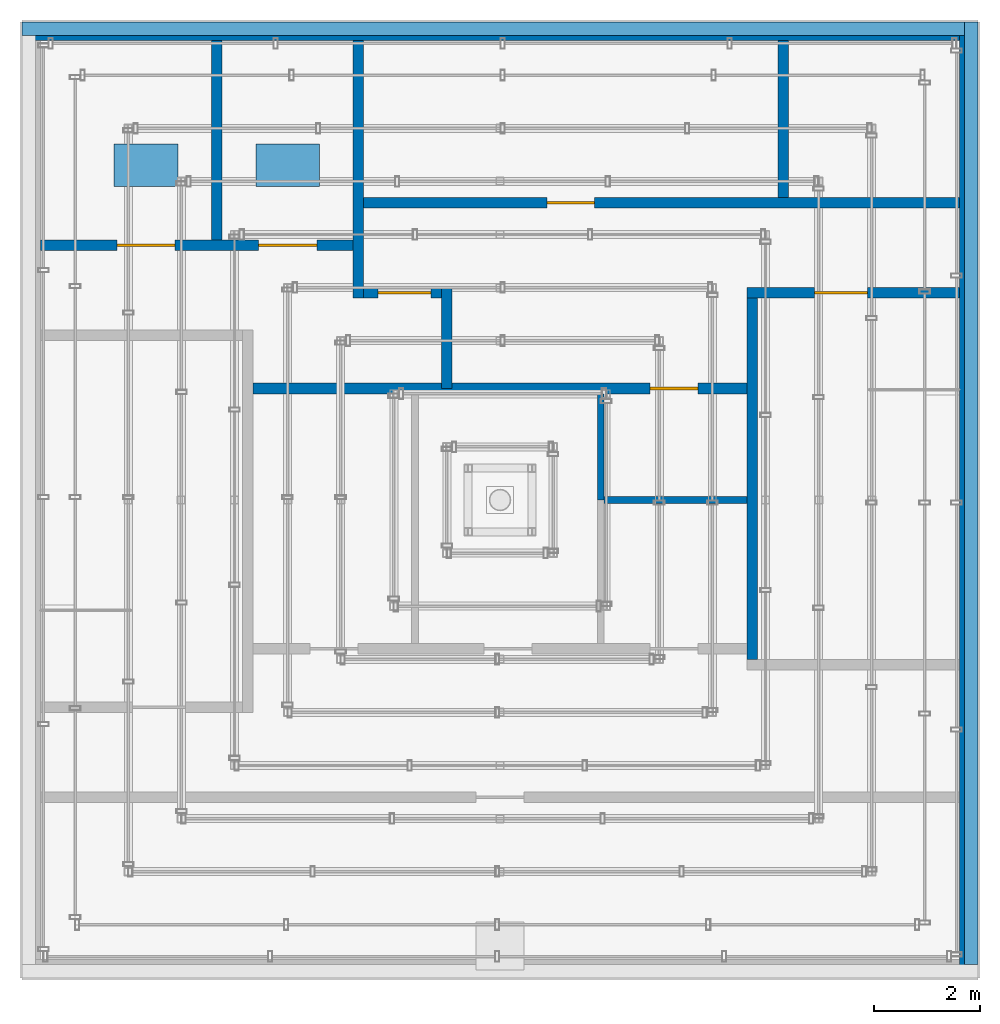
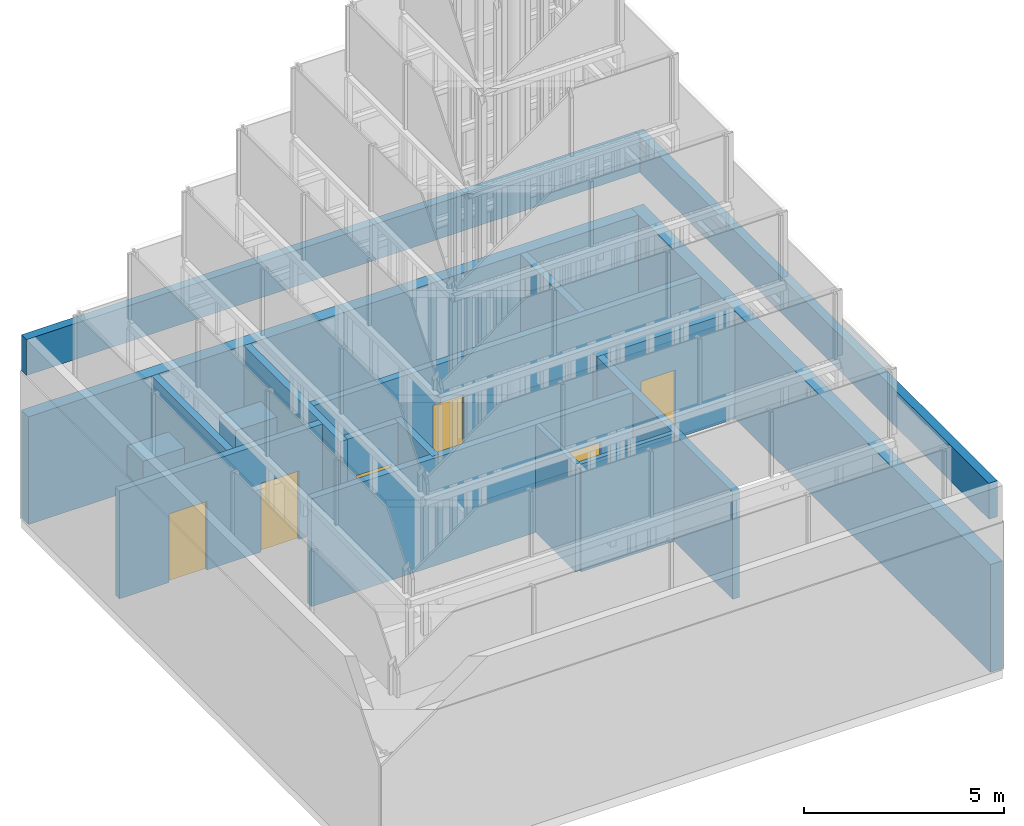
# One storey, part 19 of 24: 16 walls, 6 doors, 2 discrete accessories, 6 openings.
"""IFC4 building model written with IfcOpenShell, lengths in metres."""

from ifc_helpers import new_model, si_unit, direction, frame, frame_2d, origin, origin_2d, place, context, subcontext, project, spatial, rectangle, extrude, material, layer, layer_set, type_object, element, fill, save


model = new_model("IFC4")

# Units and contexts
model_context = context("Model", 3, precision=1e-05, world=origin(), true_north=direction((0.0, 1.0)))
body_context = subcontext(model_context, "Body", "Model", "MODEL_VIEW")
ifc_project = project(units=[si_unit("LENGTHUNIT", "METRE"), si_unit("AREAUNIT", "SQUARE_METRE"), si_unit("VOLUMEUNIT", "CUBIC_METRE"), si_unit("PLANEANGLEUNIT", "RADIAN"), si_unit("MASSUNIT", "GRAM", prefix="KILO")], contexts=[model_context])

# Site, building, storey
site_placement = place(None, origin())
site = spatial("IfcSite", under=ifc_project, at=site_placement, CompositionType="ELEMENT")
building_placement = place(site_placement, origin())
building = spatial("IfcBuilding", under=site, at=building_placement, Name="Altepetl Exchange Towers", CompositionType="ELEMENT")
storey_placement = place(building_placement, frame((0.0, 0.0, 279.10009765625)))
storey = spatial("IfcBuildingStorey", under=building, at=storey_placement, Name="L70 Crown plant", CompositionType="ELEMENT", Elevation=279.10009765625)

# Walls
ifc_material_1 = material(Name="Concrete C70/85", Category="concrete")
ifc_layer_1 = layer(ifc_material_1, 0.35009765625)
ifc_layer_set_1 = layer_set([ifc_layer_1], Name="Concrete C70/85")
wall_type_1 = type_object("IfcWallType", Name="Core wall 350 reinforced concrete external", PredefinedType="SHEAR", material=ifc_layer_set_1)
wall_1_placement = place(storey_placement, frame((58.324951171875, 40.5, 0.0), z_axis=(0.0, 0.0, 1.0), x_axis=(0.0, 1.0, 0.0)))
element("IfcWall", 1, at=wall_1_placement, inside=storey, type_object=wall_type_1, Name="wall:A:L70:K-coreE", PredefinedType="SHEAR", context=body_context, shape_type="SweptSolid", body=[
    extrude(rectangle(XDim=18.0, YDim=0.35009765625, at=frame_2d((9.0, 0.0))), origin(), (0.0, 0.0, 1.0), 3.2998046875),
])
wall_2_placement = place(storey_placement, frame((40.5, 58.324951171875, 0.0)))
element("IfcWall", 2, at=wall_2_placement, inside=storey, type_object=wall_type_1, Name="wall:A:L70:K-coreN", PredefinedType="SHEAR", context=body_context, shape_type="SweptSolid", body=[
    extrude(rectangle(XDim=17.64990234375, YDim=0.35009765625, at=frame_2d((8.824951171875, 0.0))), origin(), (0.0, 0.0, 1.0), 3.2998046875),
])
ifc_material_2 = material(Name="Concrete blockwork", Category="masonry")
ifc_layer_2 = layer(ifc_material_2, 0.199951171875)
ifc_layer_set_2 = layer_set([ifc_layer_2], Name="Concrete blockwork")
wall_type_2 = type_object("IfcWallType", Name="Lobby wall 200 blockwork", PredefinedType="PARTITIONING", material=ifc_layer_set_2)
wall_3_placement = place(storey_placement, frame((48.5, 51.60009765625, 0.0), z_axis=(0.0, 0.0, 1.0), x_axis=(0.0, 1.0, 0.0)))
element("IfcWall", 3, at=wall_3_placement, inside=storey, type_object=wall_type_2, Name="wall:A:L70:K-ffE", PredefinedType="PARTITIONING", context=body_context, shape_type="SweptSolid", body=[
    extrude(rectangle(XDim=1.89990234375, YDim=0.199951171875, at=frame_2d((0.949951171875, 0.0))), origin(), (0.0, 0.0, 1.0), 3.2998046875),
])

# Wall, opening, door
wall_4_placement = place(storey_placement, frame((46.933349609375, 53.39990234375, 0.0)))
wall_4 = element("IfcWall", 4, at=wall_4_placement, inside=storey, type_object=wall_type_2, Name="wall:A:L70:K-ffN", PredefinedType="PARTITIONING", context=body_context, shape_type="SweptSolid", body=[
    extrude(rectangle(XDim=1.466552734375, YDim=0.199951171875, at=frame_2d((0.7333984375, 0.0))), origin(), (0.0, 0.0, 1.0), 3.2998046875),
])
opening_1_placement = place(wall_4_placement, frame((0.2666015625, 0.0, 0.0)))
opening_1 = element("IfcOpeningElement", 5, at=opening_1_placement, cuts=wall_4, Name="Opening L70.A62", PredefinedType="OPENING", context=body_context, shape_type="SweptSolid", body=[
    extrude(rectangle(XDim=1.0, YDim=2.10009765625, at=frame_2d((0.5, 1.050048828125))), frame((0.0, 0.10986328125, 0.0), z_axis=(0.0, -1.0, 0.0), x_axis=(1.0, 0.0, 0.0)), (0.0, 0.0, 1.0), 0.219970703125),
])
ifc_material_3 = material(Name="Steel and timber fire door", Category="steel")
door_type_1 = type_object("IfcDoorType", Name="Fire door 1000 x 2100 stair and lobby", OperationType="SINGLE_SWING_LEFT", PredefinedType="DOOR", material=ifc_material_3)
door_1_placement = place(opening_1_placement, frame((1.0, 0.0, 0.0), x_axis=(-1.0, 0.0, 0.0)))
door_1 = element("IfcDoor", 6, at=door_1_placement, inside=storey, type_object=door_type_1, Name="door:A:L70:K-dffN", OperationType="SINGLE_SWING_RIGHT", OverallHeight=2.10009765625, OverallWidth=1.0, PredefinedType="DOOR", context=body_context, shape_type="SweptSolid", body=[
    extrude(rectangle(XDim=1.0, YDim=2.10009765625, at=frame_2d((0.5, 1.050048828125))), frame((0.0, 0.02490234375, 0.0), z_axis=(0.0, -1.0, 0.0), x_axis=(1.0, 0.0, 0.0)), (0.0, 0.0, 1.0), 0.050048828125),
])
fill(opening_1, door_1)

wall_5_placement = place(storey_placement, frame((44.85009765625, 51.60009765625, 0.0)))
wall_5 = element("IfcWall", 7, at=wall_5_placement, inside=storey, type_object=wall_type_2, Name="wall:A:L70:K-zoneN", PredefinedType="PARTITIONING", context=body_context, shape_type="SweptSolid", body=[
    extrude(rectangle(XDim=9.2998046875, YDim=0.199951171875, at=frame_2d((4.64990234375, 0.0))), origin(), (0.0, 0.0, 1.0), 3.2998046875),
])
opening_2_placement = place(wall_5_placement, frame((7.47509765625, 0.0, 0.0)))
opening_2 = element("IfcOpeningElement", 8, at=opening_2_placement, cuts=wall_5, Name="Opening L70.A68", PredefinedType="OPENING", context=body_context, shape_type="SweptSolid", body=[
    extrude(rectangle(XDim=0.89990234375, YDim=2.10009765625, at=frame_2d((0.449951171875, 1.050048828125))), frame((0.0, 0.10986328125, 0.0), z_axis=(0.0, -1.0, 0.0), x_axis=(1.0, 0.0, 0.0)), (0.0, 0.0, 1.0), 0.219970703125),
])
door_type_2 = type_object("IfcDoorType", Name="Fire door 900 x 2100 service room", OperationType="SINGLE_SWING_LEFT", PredefinedType="DOOR", material=ifc_material_3)
door_2_placement = place(opening_2_placement, frame((0.89990234375, 0.0, 0.0), x_axis=(-1.0, 0.0, 0.0)))
door_2 = element("IfcDoor", 9, at=door_2_placement, inside=storey, type_object=door_type_2, Name="door:A:L70:K-dz4", OperationType="SINGLE_SWING_LEFT", OverallHeight=2.10009765625, OverallWidth=0.89990234375, PredefinedType="DOOR", context=body_context, shape_type="SweptSolid", body=[
    extrude(rectangle(XDim=0.89990234375, YDim=2.10009765625, at=frame_2d((0.449951171875, 1.050048828125))), frame((0.0, 0.02490234375, 0.0), z_axis=(0.0, -1.0, 0.0), x_axis=(1.0, 0.0, 0.0)), (0.0, 0.0, 1.0), 0.050048828125),
])
fill(opening_2, door_2)

# Walls
ifc_material_4 = material(Name="Gypsum board on steel studs", Category="steel")
ifc_layer_3 = layer(ifc_material_4, 0.125)
ifc_layer_set_3 = layer_set([ifc_layer_3], Name="Gypsum board on steel studs")
wall_type_3 = type_object("IfcWallType", Name="Partition 125 gypsum board on steel studs", PredefinedType="PARTITIONING", material=ifc_layer_set_3)
wall_6_placement = place(storey_placement, frame((54.14990234375, 49.5, 0.0), z_axis=(0.0, 0.0, 1.0), x_axis=(-1.0, 0.0, 0.0)))
element("IfcWall", 10, at=wall_6_placement, inside=storey, type_object=wall_type_3, Name="wall:A:L70:K-zp3", PredefinedType="PARTITIONING", context=body_context, shape_type="SweptSolid", body=[
    extrude(rectangle(XDim=2.6875, YDim=0.125, at=frame_2d((1.34375, 0.0))), origin(), (0.0, 0.0, 1.0), 3.2998046875),
])
wall_7_placement = place(storey_placement, frame((51.39990234375, 49.5, 0.0), z_axis=(0.0, 0.0, 1.0), x_axis=(0.0, 1.0, 0.0)))
element("IfcWall", 11, at=wall_7_placement, inside=storey, type_object=wall_type_3, Name="wall:A:L70:K-zp4", PredefinedType="PARTITIONING", context=body_context, shape_type="SweptSolid", body=[
    extrude(rectangle(XDim=2.0, YDim=0.125, at=frame_2d((1.0, 0.0))), origin(), (0.0, 0.0, 1.0), 3.2998046875),
])
ifc_material_5 = material(Name="Concrete C40/50", Category="concrete")
ifc_layer_4 = layer(ifc_material_5, 0.199951171875)
ifc_layer_set_4 = layer_set([ifc_layer_4], Name="Concrete C40/50")
wall_type_4 = type_object("IfcWallType", Name="Shaft wall 200 reinforced concrete", PredefinedType="SHEAR", material=ifc_layer_set_4)
wall_8_placement = place(storey_placement, frame((44.166748046875, 58.14990234375, 0.0), z_axis=(0.0, 0.0, 1.0), x_axis=(0.0, -1.0, 0.0)))
element("IfcWall", 12, at=wall_8_placement, inside=storey, type_object=wall_type_4, Name="wall:A:L70:K-divN1", PredefinedType="SHEAR", context=body_context, shape_type="SweptSolid", body=[
    extrude(rectangle(XDim=3.75, YDim=0.199951171875, at=frame_2d((1.875, 0.0))), origin(), (0.0, 0.0, 1.0), 3.2998046875),
])
wall_9_placement = place(storey_placement, frame((46.833251953125, 58.14990234375, 0.0), z_axis=(0.0, 0.0, 1.0), x_axis=(0.0, -1.0, 0.0)))
element("IfcWall", 13, at=wall_9_placement, inside=storey, type_object=wall_type_4, Name="wall:A:L70:K-divN2", PredefinedType="SHEAR", context=body_context, shape_type="SweptSolid", body=[
    extrude(rectangle(XDim=4.849853515625, YDim=0.199951171875, at=frame_2d((2.4248046875, 0.0))), origin(), (0.0, 0.0, 1.0), 3.2998046875),
])
wall_10_placement = place(storey_placement, frame((54.833251953125, 58.14990234375, 0.0), z_axis=(0.0, 0.0, 1.0), x_axis=(0.0, -1.0, 0.0)))
element("IfcWall", 14, at=wall_10_placement, inside=storey, type_object=wall_type_4, Name="wall:A:L70:K-divN5", PredefinedType="SHEAR", context=body_context, shape_type="SweptSolid", body=[
    extrude(rectangle(XDim=2.949951171875, YDim=0.199951171875, at=frame_2d((1.47509765625, 0.0))), origin(), (0.0, 0.0, 1.0), 3.2998046875),
])

# Wall, opening, door
wall_11_placement = place(storey_placement, frame((46.933349609375, 55.10009765625, 0.0)))
wall_11 = element("IfcWall", 15, at=wall_11_placement, inside=storey, type_object=wall_type_4, Name="wall:A:L70:K-frontNb", PredefinedType="SHEAR", context=body_context, shape_type="SweptSolid", body=[
    extrude(rectangle(XDim=11.216552734375, YDim=0.199951171875, at=frame_2d((5.6083984375, 0.0))), origin(), (0.0, 0.0, 1.0), 3.2998046875),
])
opening_3_placement = place(wall_11_placement, frame((3.449951171875, 0.0, 0.0)))
opening_3 = element("IfcOpeningElement", 16, at=opening_3_placement, cuts=wall_11, Name="Opening L70.A63", PredefinedType="OPENING", context=body_context, shape_type="SweptSolid", body=[
    extrude(rectangle(XDim=0.89990234375, YDim=2.10009765625, at=frame_2d((0.449951171875, 1.050048828125))), frame((0.0, 0.10986328125, 0.0), z_axis=(0.0, -1.0, 0.0), x_axis=(1.0, 0.0, 0.0)), (0.0, 0.0, 1.0), 0.219970703125),
])
door_3_placement = place(opening_3_placement, origin())
door_3 = element("IfcDoor", 17, at=door_3_placement, inside=storey, type_object=door_type_2, Name="door:A:L70:K-dslotN2", OperationType="SINGLE_SWING_RIGHT", OverallHeight=2.10009765625, OverallWidth=0.89990234375, PredefinedType="DOOR", context=body_context, shape_type="SweptSolid", body=[
    extrude(rectangle(XDim=0.89990234375, YDim=2.10009765625, at=frame_2d((0.449951171875, 1.050048828125))), frame((0.0, 0.02490234375, 0.0), z_axis=(0.0, -1.0, 0.0), x_axis=(1.0, 0.0, 0.0)), (0.0, 0.0, 1.0), 0.050048828125),
])
fill(opening_3, door_3)

# Wall, openings, doors
wall_12_placement = place(storey_placement, frame((40.85009765625, 54.300048828125, 0.0)))
wall_12 = element("IfcWall", 18, at=wall_12_placement, inside=storey, type_object=wall_type_4, Name="wall:A:L70:K-frontNd", PredefinedType="SHEAR", context=body_context, shape_type="SweptSolid", body=[
    extrude(rectangle(XDim=5.88330078125, YDim=0.199951171875, at=frame_2d((2.941650390625, 0.0))), origin(), (0.0, 0.0, 1.0), 3.2998046875),
])
opening_4_placement = place(wall_12_placement, frame((1.433349609375, 0.0, 0.0)))
opening_4 = element("IfcOpeningElement", 19, at=opening_4_placement, cuts=wall_12, Name="Opening L70.A69", PredefinedType="OPENING", context=body_context, shape_type="SweptSolid", body=[
    extrude(rectangle(XDim=1.10009765625, YDim=2.10009765625, at=frame_2d((0.550048828125, 1.050048828125))), frame((0.0, 0.10986328125, 0.0), z_axis=(0.0, -1.0, 0.0), x_axis=(1.0, 0.0, 0.0)), (0.0, 0.0, 1.0), 0.219970703125),
])
opening_5_placement = place(wall_12_placement, frame((4.10009765625, 0.0, 0.0)))
opening_5 = element("IfcOpeningElement", 20, at=opening_5_placement, cuts=wall_12, Name="Opening L70.A70", PredefinedType="OPENING", context=body_context, shape_type="SweptSolid", body=[
    extrude(rectangle(XDim=1.10009765625, YDim=2.10009765625, at=frame_2d((0.550048828125, 1.050048828125))), frame((0.0, 0.10986328125, 0.0), z_axis=(0.0, -1.0, 0.0), x_axis=(1.0, 0.0, 0.0)), (0.0, 0.0, 1.0), 0.219970703125),
])
ifc_material_6 = material(Name="Stainless steel", Category="steel")
door_type_3 = type_object("IfcDoorType", Name="Lift landing door 1100 x 2100", OperationType="SLIDING_TO_LEFT", PredefinedType="DOOR", material=ifc_material_6)
door_4_placement = place(opening_4_placement, origin())
door_4 = element("IfcDoor", 21, at=door_4_placement, inside=storey, type_object=door_type_3, Name="Landing door FFL1", OperationType="SLIDING_TO_LEFT", OverallHeight=2.10009765625, OverallWidth=1.10009765625, PredefinedType="DOOR", context=body_context, shape_type="SweptSolid", body=[
    extrude(rectangle(XDim=1.10009765625, YDim=2.10009765625, at=frame_2d((0.550048828125, 1.050048828125))), frame((0.0, 0.02490234375, 0.0), z_axis=(0.0, -1.0, 0.0), x_axis=(1.0, 0.0, 0.0)), (0.0, 0.0, 1.0), 0.050048828125),
])
fill(opening_4, door_4)
door_5_placement = place(opening_5_placement, origin())
door_5 = element("IfcDoor", 22, at=door_5_placement, inside=storey, type_object=door_type_3, Name="Landing door FFL2", OperationType="SLIDING_TO_LEFT", OverallHeight=2.10009765625, OverallWidth=1.10009765625, PredefinedType="DOOR", context=body_context, shape_type="SweptSolid", body=[
    extrude(rectangle(XDim=1.10009765625, YDim=2.10009765625, at=frame_2d((0.550048828125, 1.050048828125))), frame((0.0, 0.02490234375, 0.0), z_axis=(0.0, -1.0, 0.0), x_axis=(1.0, 0.0, 0.0)), (0.0, 0.0, 1.0), 0.050048828125),
])
fill(opening_5, door_5)

# Wall, opening, door
ifc_layer_5 = layer(ifc_material_5, 0.199951171875)
ifc_layer_set_5 = layer_set([ifc_layer_5], Name="Concrete C40/50")
wall_type_5 = type_object("IfcWallType", Name="Stair wall 200 reinforced concrete", PredefinedType="SHEAR", material=ifc_layer_set_5)
wall_13_placement = place(storey_placement, frame((54.14990234375, 53.39990234375, 0.0)))
wall_13 = element("IfcWall", 23, at=wall_13_placement, inside=storey, type_object=wall_type_5, Name="wall:A:L70:K-stS2N", PredefinedType="SHEAR", context=body_context, shape_type="SweptSolid", body=[
    extrude(rectangle(XDim=4.0, YDim=0.199951171875, at=frame_2d((2.0, 0.0))), origin(), (0.0, 0.0, 1.0), 3.2998046875),
])
opening_6_placement = place(wall_13_placement, frame((1.27490234375, 0.0, 0.0)))
opening_6 = element("IfcOpeningElement", 24, at=opening_6_placement, cuts=wall_13, Name="Opening L70.A61", PredefinedType="OPENING", context=body_context, shape_type="SweptSolid", body=[
    extrude(rectangle(XDim=1.0, YDim=2.10009765625, at=frame_2d((0.5, 1.050048828125))), frame((0.0, 0.10986328125, 0.0), z_axis=(0.0, -1.0, 0.0), x_axis=(1.0, 0.0, 0.0)), (0.0, 0.0, 1.0), 0.219970703125),
])
door_6_placement = place(opening_6_placement, frame((1.0, 0.0, 0.0), x_axis=(-1.0, 0.0, 0.0)))
door_6 = element("IfcDoor", 25, at=door_6_placement, inside=storey, type_object=door_type_1, Name="door:A:L70:K-dS2in", OperationType="SINGLE_SWING_LEFT", OverallHeight=2.10009765625, OverallWidth=1.0, PredefinedType="DOOR", context=body_context, shape_type="SweptSolid", body=[
    extrude(rectangle(XDim=1.0, YDim=2.10009765625, at=frame_2d((0.5, 1.050048828125))), frame((0.0, 0.02490234375, 0.0), z_axis=(0.0, -1.0, 0.0), x_axis=(1.0, 0.0, 0.0)), (0.0, 0.0, 1.0), 0.050048828125),
])
fill(opening_6, door_6)

# Walls
wall_14_placement = place(storey_placement, frame((54.25, 46.5, 0.0), z_axis=(0.0, 0.0, 1.0), x_axis=(0.0, 1.0, 0.0)))
element("IfcWall", 26, at=wall_14_placement, inside=storey, type_object=wall_type_5, Name="wall:A:L70:K-stS2W", PredefinedType="SHEAR", context=body_context, shape_type="SweptSolid", body=[
    extrude(rectangle(XDim=6.800048828125, YDim=0.199951171875, at=frame_2d((3.39990234375, 0.0))), origin(), (0.0, 0.0, 1.0), 3.2998046875),
])
ifc_material_7 = material(Name="Cantera limestone cladding", Category="masonry")
ifc_layer_6 = layer(ifc_material_7, 0.25)
ifc_layer_set_6 = layer_set([ifc_layer_6], Name="Cantera limestone cladding")
wall_type_6 = type_object("IfcWallType", Name="Stone parapet 250", PredefinedType="PARAPET", material=ifc_layer_set_6)
for number, where, z_axis, x_axis, name in (
    (27, (58.375, 40.75, 4.5), (0.0, 0.0, 1.0), (0.0, 1.0, 0.0), "Crown parapet"),
    (28, (58.25, 58.375, 4.5), (0.0, 0.0, 1.0), (-1.0, 0.0, 0.0), "Crown parapet"),
):
    element("IfcWall", number, at=place(storey_placement, frame(where, z_axis=z_axis, x_axis=x_axis)), inside=storey, type_object=wall_type_6, Name=name, PredefinedType="PARAPET", context=body_context, shape_type="SweptSolid", body=[
        extrude(rectangle(XDim=17.75, YDim=0.25, at=frame_2d((8.875, 0.0))), origin(), (0.0, 0.0, 1.0), 1.099853515625),
    ])

# Discrete accessories
for number, where, name in (
    (29, (42.833251953125, 55.800048828125, 2.099853515625), "Lift machine FFL1"),
    (30, (45.5, 55.800048828125, 2.099853515625), "Lift machine FFL2"),
):
    element("IfcDiscreteAccessory", number, at=place(storey_placement, frame(where)), inside=storey, Name=name, ObjectType="LIFT MACHINE", PredefinedType="USERDEFINED", context=body_context, shape_type="SweptSolid", body=[
        extrude(rectangle(XDim=1.199951171875, YDim=0.800048828125, at=origin_2d()), origin(), (0.0, 0.0, 1.0), 0.89990234375),
    ])

save(model, "model.ifc")
